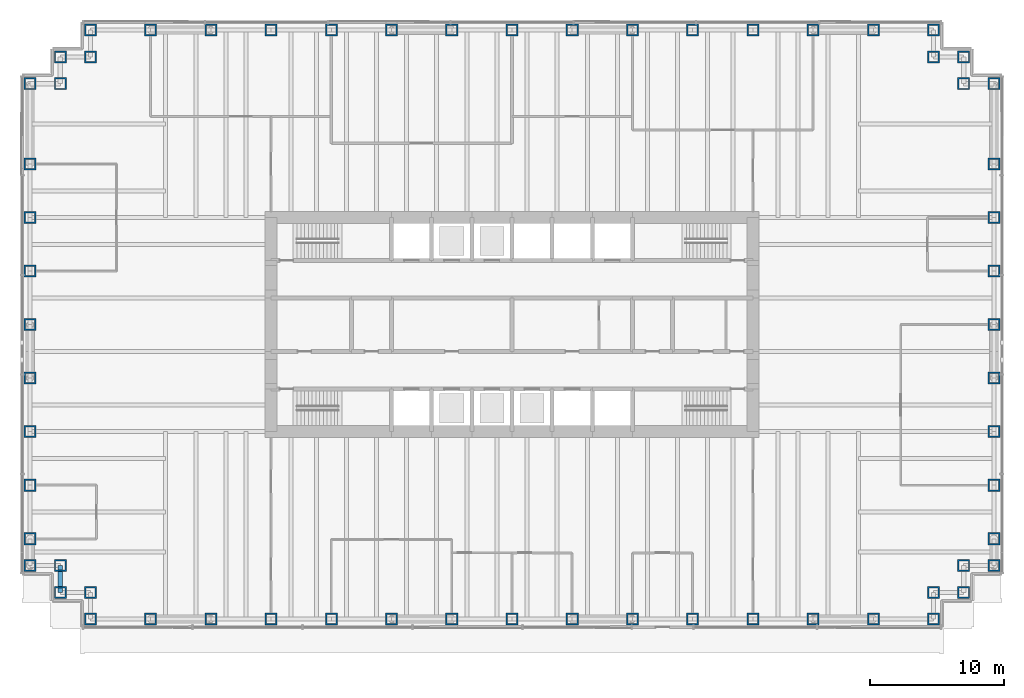
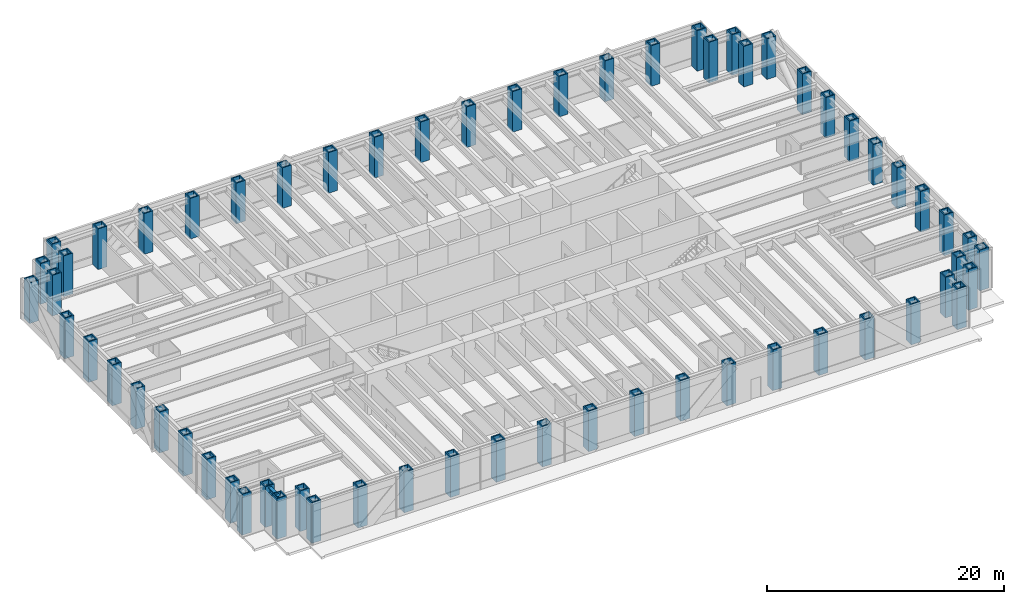
# One storey, part 1 of 14: 62 columns, 1 beam.
"""IFC4 building model written with IfcOpenShell, lengths in metres."""

from ifc_helpers import new_model, si_unit, direction, frame, origin, origin_2d, place, context, subcontext, project, spatial, hollow_rectangle, i_section, extrude, material, material_profile, profile_set, type_object, element, save


model = new_model("IFC4")

# Units and contexts
model_context = context("Model", 3, precision=1e-05, world=origin(), true_north=direction((0.0, 1.0)))
body_context = subcontext(model_context, "Body", "Model", "MODEL_VIEW")
ifc_project = project(units=[si_unit("LENGTHUNIT", "METRE"), si_unit("AREAUNIT", "SQUARE_METRE"), si_unit("VOLUMEUNIT", "CUBIC_METRE"), si_unit("PLANEANGLEUNIT", "RADIAN"), si_unit("MASSUNIT", "GRAM", prefix="KILO")], contexts=[model_context])

# Site, building, storey
site_placement = place(None, origin())
site = spatial("IfcSite", under=ifc_project, at=site_placement, CompositionType="ELEMENT")
building_placement = place(site_placement, origin())
building = spatial("IfcBuilding", under=site, at=building_placement, Name="Rheinbord Bourse Tower", CompositionType="ELEMENT")
storey_placement = place(building_placement, frame((0.0, 0.0, 100.5)))
storey = spatial("IfcBuildingStorey", under=building, at=storey_placement, Name="L21", CompositionType="ELEMENT", Elevation=100.5)

# Columns
ifc_material_1 = material(Name="Steel S460M", Category="steel")
ifc_material_profile_1 = material_profile(ifc_material_1, hollow_rectangle(XDim=0.89990234375, YDim=0.89990234375, WallThickness=0.110107421875, at=origin_2d()), Name="BOX 900x900x110")
ifc_profile_set_1 = profile_set([ifc_material_profile_1], Name="Steel S460M")
column_type = type_object("IfcColumnType", Name="TUBE COLUMN BOX 900x900x110", PredefinedType="COLUMN", material=ifc_profile_set_1)
for number, where, z_axis, x_axis, name in (
    (1, (4.5, 2.0, 0.0), (0.0, 0.0, 1.0), (0.0, 1.0, 0.0), "Column SW-E L21"),
    (2, (9.0, 2.0, 0.0), (0.0, 0.0, 1.0), (0.0, 1.0, 0.0), "Column S-9 L21"),
    (3, (13.5, 2.0, 0.0), (0.0, 0.0, 1.0), (0.0, 1.0, 0.0), "Column S-13.5 L21"),
    (4, (18.0, 2.0, 0.0), (0.0, 0.0, 1.0), (0.0, 1.0, 0.0), "Column S-18 L21"),
    (5, (22.5, 2.0, 0.0), (0.0, 0.0, 1.0), (0.0, 1.0, 0.0), "Column S-22.5 L21"),
    (6, (27.0, 2.0, 0.0), (0.0, 0.0, 1.0), (0.0, 1.0, 0.0), "Column S-27 L21"),
    (7, (31.5, 2.0, 0.0), (0.0, 0.0, 1.0), (0.0, 1.0, 0.0), "Column S-31.5 L21"),
    (8, (36.0, 2.0, 0.0), (0.0, 0.0, 1.0), (0.0, 1.0, 0.0), "Column S-36 L21"),
    (9, (40.5, 2.0, 0.0), (0.0, 0.0, 1.0), (0.0, 1.0, 0.0), "Column S-40.5 L21"),
    (10, (45.0, 2.0, 0.0), (0.0, 0.0, 1.0), (0.0, 1.0, 0.0), "Column S-45 L21"),
    (11, (49.5, 2.0, 0.0), (0.0, 0.0, 1.0), (0.0, 1.0, 0.0), "Column S-49.5 L21"),
    (12, (54.0, 2.0, 0.0), (0.0, 0.0, 1.0), (0.0, 1.0, 0.0), "Column S-54 L21"),
    (13, (58.5, 2.0, 0.0), (0.0, 0.0, 1.0), (0.0, 1.0, 0.0), "Column S-58.5 L21"),
    (14, (63.0, 2.0, 0.0), (0.0, 0.0, 1.0), (0.0, 1.0, 0.0), "Column S-63 L21"),
    (15, (67.5, 2.0, 0.0), (0.0, 0.0, 1.0), (0.0, 1.0, 0.0), "Column SE-E L21"),
    (16, (67.5, 4.0, 0.0), (0.0, 0.0, 1.0), (0.0, 1.0, 0.0), "Column SE-D L21"),
    (17, (69.75, 4.0, 0.0), (0.0, 0.0, 1.0), (1.0, 0.0, 0.0), "Column SE-C L21"),
    (18, (69.75, 6.0, 0.0), (0.0, 0.0, 1.0), (1.0, 0.0, 0.0), "Column SE-B L21"),
    (19, (72.0, 6.0, 0.0), (0.0, 0.0, 1.0), (1.0, 0.0, 0.0), "Column SE-A L21"),
    (20, (72.0, 8.0, 0.0), (0.0, 0.0, 1.0), (1.0, 0.0, 0.0), "Column E-8 L21"),
    (21, (72.0, 12.0, 0.0), (0.0, 0.0, 1.0), (1.0, 0.0, 0.0), "Column E-12 L21"),
    (22, (72.0, 16.0, 0.0), (0.0, 0.0, 1.0), (1.0, 0.0, 0.0), "Column E-16 L21"),
    (23, (72.0, 20.0, 0.0), (0.0, 0.0, 1.0), (1.0, 0.0, 0.0), "Column E-20 L21"),
    (24, (72.0, 24.0, 0.0), (0.0, 0.0, 1.0), (1.0, 0.0, 0.0), "Column E-24 L21"),
    (25, (72.0, 28.0, 0.0), (0.0, 0.0, 1.0), (1.0, 0.0, 0.0), "Column E-28 L21"),
    (26, (72.0, 32.0, 0.0), (0.0, 0.0, 1.0), (1.0, 0.0, 0.0), "Column E-32 L21"),
    (27, (72.0, 36.0, 0.0), (0.0, 0.0, 1.0), (1.0, 0.0, 0.0), "Column E-36 L21"),
    (28, (72.0, 42.0, 0.0), (0.0, 0.0, 1.0), (1.0, 0.0, 0.0), "Column NE-A L21"),
    (29, (69.75, 42.0, 0.0), (0.0, 0.0, 1.0), (1.0, 0.0, 0.0), "Column NE-B L21"),
    (30, (69.75, 44.0, 0.0), (0.0, 0.0, 1.0), (1.0, 0.0, 0.0), "Column NE-C L21"),
    (31, (67.5, 44.0, 0.0), (0.0, 0.0, 1.0), (0.0, 1.0, 0.0), "Column NE-D L21"),
    (32, (67.5, 46.0, 0.0), (0.0, 0.0, 1.0), (0.0, 1.0, 0.0), "Column NE-E L21"),
    (33, (63.0, 46.0, 0.0), (0.0, 0.0, 1.0), (0.0, 1.0, 0.0), "Column N-63 L21"),
    (34, (58.5, 46.0, 0.0), (0.0, 0.0, 1.0), (0.0, 1.0, 0.0), "Column N-58.5 L21"),
    (35, (54.0, 46.0, 0.0), (0.0, 0.0, 1.0), (0.0, 1.0, 0.0), "Column N-54 L21"),
    (36, (49.5, 46.0, 0.0), (0.0, 0.0, 1.0), (0.0, 1.0, 0.0), "Column N-49.5 L21"),
    (37, (45.0, 46.0, 0.0), (0.0, 0.0, 1.0), (0.0, 1.0, 0.0), "Column N-45 L21"),
    (38, (40.5, 46.0, 0.0), (0.0, 0.0, 1.0), (0.0, 1.0, 0.0), "Column N-40.5 L21"),
    (39, (36.0, 46.0, 0.0), (0.0, 0.0, 1.0), (0.0, 1.0, 0.0), "Column N-36 L21"),
    (40, (31.5, 46.0, 0.0), (0.0, 0.0, 1.0), (0.0, 1.0, 0.0), "Column N-31.5 L21"),
    (41, (27.0, 46.0, 0.0), (0.0, 0.0, 1.0), (0.0, 1.0, 0.0), "Column N-27 L21"),
    (42, (22.5, 46.0, 0.0), (0.0, 0.0, 1.0), (0.0, 1.0, 0.0), "Column N-22.5 L21"),
    (43, (18.0, 46.0, 0.0), (0.0, 0.0, 1.0), (0.0, 1.0, 0.0), "Column N-18 L21"),
    (44, (13.5, 46.0, 0.0), (0.0, 0.0, 1.0), (0.0, 1.0, 0.0), "Column N-13.5 L21"),
    (45, (9.0, 46.0, 0.0), (0.0, 0.0, 1.0), (0.0, 1.0, 0.0), "Column N-9 L21"),
    (46, (4.5, 46.0, 0.0), (0.0, 0.0, 1.0), (0.0, 1.0, 0.0), "Column NW-E L21"),
    (47, (4.5, 44.0, 0.0), (0.0, 0.0, 1.0), (0.0, 1.0, 0.0), "Column NW-D L21"),
    (48, (2.25, 44.0, 0.0), (0.0, 0.0, 1.0), (1.0, 0.0, 0.0), "Column NW-C L21"),
    (49, (2.25, 42.0, 0.0), (0.0, 0.0, 1.0), (1.0, 0.0, 0.0), "Column NW-B L21"),
    (50, (0.0, 42.0, 0.0), (0.0, 0.0, 1.0), (1.0, 0.0, 0.0), "Column NW-A L21"),
    (51, (0.0, 36.0, 0.0), (0.0, 0.0, 1.0), (1.0, 0.0, 0.0), "Column W-36 L21"),
    (52, (0.0, 32.0, 0.0), (0.0, 0.0, 1.0), (1.0, 0.0, 0.0), "Column W-32 L21"),
    (53, (0.0, 28.0, 0.0), (0.0, 0.0, 1.0), (1.0, 0.0, 0.0), "Column W-28 L21"),
    (54, (0.0, 24.0, 0.0), (0.0, 0.0, 1.0), (1.0, 0.0, 0.0), "Column W-24 L21"),
    (55, (0.0, 20.0, 0.0), (0.0, 0.0, 1.0), (1.0, 0.0, 0.0), "Column W-20 L21"),
    (56, (0.0, 16.0, 0.0), (0.0, 0.0, 1.0), (1.0, 0.0, 0.0), "Column W-16 L21"),
    (57, (0.0, 12.0, 0.0), (0.0, 0.0, 1.0), (1.0, 0.0, 0.0), "Column W-12 L21"),
    (58, (0.0, 8.0, 0.0), (0.0, 0.0, 1.0), (1.0, 0.0, 0.0), "Column W-8 L21"),
    (59, (0.0, 6.0, 0.0), (0.0, 0.0, 1.0), (1.0, 0.0, 0.0), "Column SW-A L21"),
    (60, (2.25, 6.0, 0.0), (0.0, 0.0, 1.0), (1.0, 0.0, 0.0), "Column SW-B L21"),
    (61, (2.25, 4.0, 0.0), (0.0, 0.0, 1.0), (1.0, 0.0, 0.0), "Column SW-C L21"),
    (62, (4.5, 4.0, 0.0), (0.0, 0.0, 1.0), (0.0, 1.0, 0.0), "Column SW-D L21"),
):
    element("IfcColumn", number, at=place(storey_placement, frame(where, z_axis=z_axis, x_axis=x_axis)), inside=storey, type_object=column_type, Name=name, PredefinedType="COLUMN", context=body_context, shape_type="SweptSolid", body=[
        extrude(hollow_rectangle(XDim=0.89990234375, YDim=0.89990234375, WallThickness=0.110107421875, at=origin_2d()), origin(), (0.0, 0.0, 1.0), 4.199951171875),
    ])

# Beam
ifc_material_2 = material(Name="Steel S460", Category="steel")
ifc_material_profile_2 = material_profile(ifc_material_2, i_section(OverallWidth=0.305908203125, OverallDepth=0.572021484375, WebThickness=0.02099609375, FlangeThickness=0.0400390625, at=origin_2d()), Name="HEM 550")
ifc_profile_set_2 = profile_set([ifc_material_profile_2], Name="Steel S460")
beam_type = type_object("IfcBeamType", Name="SPANDREL HEM 550", PredefinedType="SPANDREL", material=ifc_profile_set_2)
beam_placement = place(storey_placement, frame((2.25, 6.0, 3.75390625), z_axis=(0.0, -1.0, 0.0), x_axis=(1.0, 0.0, 0.0)))
element("IfcBeam", 63, at=beam_placement, inside=storey, type_object=beam_type, Name="Spandrel SW-B-SW-C under L22", PredefinedType="SPANDREL", context=body_context, shape_type="SweptSolid", body=[
    extrude(i_section(OverallWidth=0.305908203125, OverallDepth=0.572021484375, WebThickness=0.02099609375, FlangeThickness=0.0400390625, at=origin_2d()), origin(), (0.0, 0.0, 1.0), 2.0),
])

save(model, "model.ifc")
